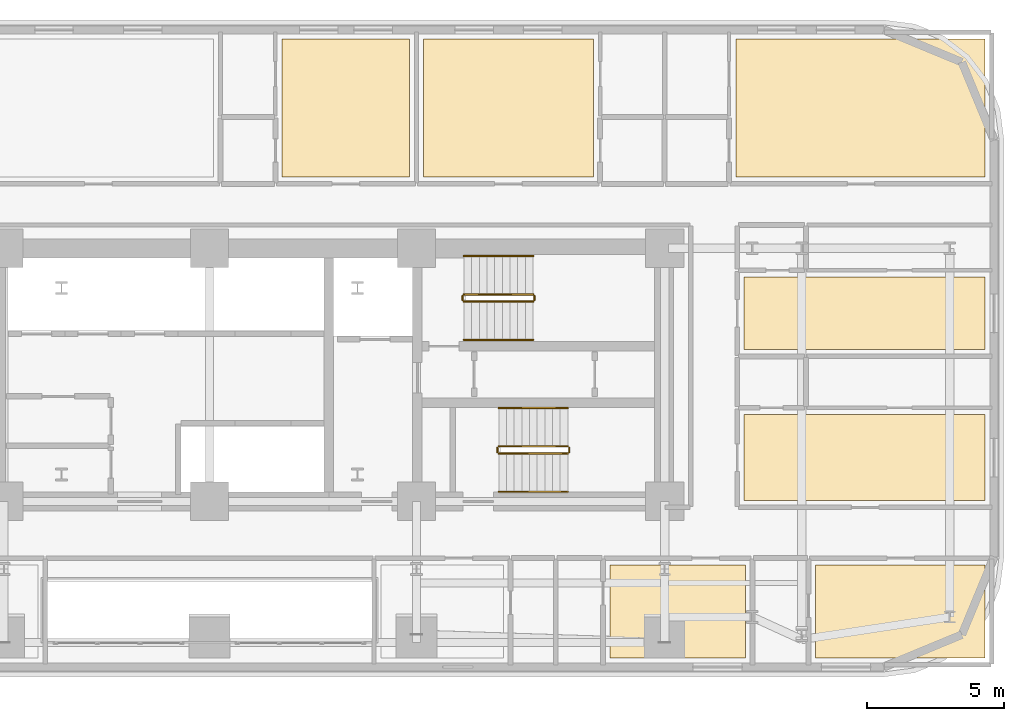
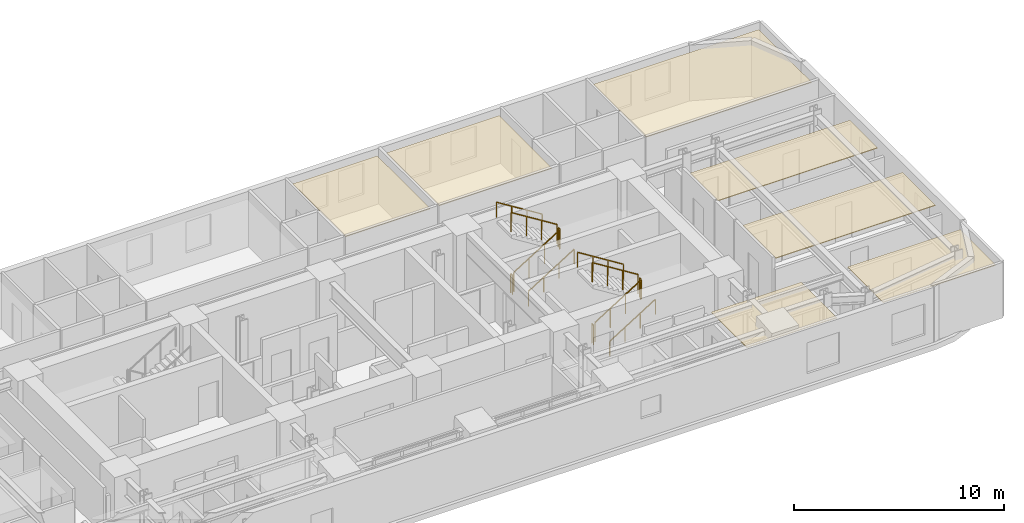
# One storey, part 15 of 15: 12 railings, 7 coverings.
"""IFC4 building model written with IfcOpenShell, lengths in metres."""

import ifcopenshell
import ifcopenshell.guid

model = None  # the IFC model being written
_history = None  # IfcOwnerHistory: only IFC2X3 demands one
_inside = {}  # id of a spatial element -> (the spatial element, [elements in it])
_under = {}  # id of a project, library or spatial element -> (it, [spatial elements below it])
_declared = {}  # id of a project -> (the project, [libraries it declares])
_typed = {}  # id of a type object -> (the type object, [elements of that type])
_made_of = {}  # id of a material, layer set ... -> (it, [elements and type objects made of it])


def new_model(schema):
    """Start an empty IFC model of exactly this schema.

    Asked for "IFC4X3", IfcOpenShell would pick the latest addendum, in which some entities
    have other attributes; the version numbers below select the first issue.
    IFC2X3 requires an IfcOwnerHistory on every rooted entity: one is made here for all.
    """
    global model, _history
    if schema == "IFC4X3":
        model = ifcopenshell.file(schema_version=(4, 3, 0, 0))
    else:
        model = ifcopenshell.file(schema=schema)
    _inside.clear()
    _under.clear()
    _declared.clear()
    _typed.clear()
    _made_of.clear()
    _history = None
    if model.schema == "IFC2X3":
        org = make("IfcOrganization", Name="unknown")
        user = make(
            "IfcPersonAndOrganization",
            ThePerson=make("IfcPerson", FamilyName="unknown"),
            TheOrganization=org,
        )
        app = make(
            "IfcApplication",
            ApplicationDeveloper=org,
            Version="unknown",
            ApplicationFullName="unknown",
            ApplicationIdentifier="unknown",
        )
        _history = make(
            "IfcOwnerHistory",
            OwningUser=user,
            OwningApplication=app,
            ChangeAction="ADDED",
            CreationDate=0,
        )
    return model


def make(cls, **values):
    """One entity of the class cls with the attributes given. An attribute that is None is left unset."""
    return model.create_entity(
        cls, **{name: value for name, value in values.items() if value is not None}
    )


def rooted(cls, **values):
    """An entity with a GlobalId (a new one), such as an element, a storey or a relation."""
    return make(cls, GlobalId=ifcopenshell.guid.new(), OwnerHistory=_history, **values)


def si_unit(unit_type, name, prefix=None):
    """IfcSIUnit, for example si_unit("LENGTHUNIT", "METRE", prefix="MILLI")."""
    return make("IfcSIUnit", UnitType=unit_type, Prefix=prefix, Name=name)


def assignment(units):
    """IfcUnitAssignment: the units of a project."""
    return None if units is None else make("IfcUnitAssignment", Units=units)


def point(xyz):
    """IfcCartesianPoint."""
    return None if xyz is None else make("IfcCartesianPoint", Coordinates=xyz)


def direction(xyz):
    """IfcDirection."""
    return None if xyz is None else make("IfcDirection", DirectionRatios=xyz)


def frame(location, z_axis=None, x_axis=None):
    """IfcAxis2Placement3D, a coordinate frame: its origin and axes. An axis left out is left unset."""
    return make(
        "IfcAxis2Placement3D",
        Location=point(location),
        Axis=direction(z_axis),
        RefDirection=direction(x_axis),
    )


def frame_2d(location, x_axis=None):
    """IfcAxis2Placement2D, a coordinate frame in the plane: its origin and x axis."""
    return make(
        "IfcAxis2Placement2D", Location=point(location), RefDirection=direction(x_axis)
    )


def origin():
    """The frame at (0, 0, 0) with its axes left unset."""
    return frame((0.0, 0.0, 0.0))


def origin_2d():
    """The frame at (0, 0) in the plane with its x axis left unset."""
    return frame_2d((0.0, 0.0))


def place(relative_to, where):
    """IfcLocalPlacement: puts the frame where relative to a parent placement (None: the world)."""
    return make(
        "IfcLocalPlacement", PlacementRelTo=relative_to, RelativePlacement=where
    )


def context(
    kind, dimensions, precision=None, world=None, true_north=None, identifier=None
):
    """IfcGeometricRepresentationContext, for example the 3D "Model" context."""
    return make(
        "IfcGeometricRepresentationContext",
        ContextIdentifier=identifier,
        ContextType=kind,
        CoordinateSpaceDimension=dimensions,
        Precision=precision,
        WorldCoordinateSystem=world,
        TrueNorth=true_north,
    )


def subcontext(parent, identifier, kind, view, scale=None):
    """IfcGeometricRepresentationSubContext, for example "Body" below "Model"."""
    return make(
        "IfcGeometricRepresentationSubContext",
        ContextIdentifier=identifier,
        ContextType=kind,
        ParentContext=parent,
        TargetScale=scale,
        TargetView=view,
    )


def project(units=None, contexts=None):
    """IfcProject with its units and contexts."""
    return rooted(
        "IfcProject",
        Name="project",
        RepresentationContexts=contexts,
        UnitsInContext=assignment(units),
    )


def spatial(cls, under=None, at=None, **own):
    """A site, building, storey or space (cls), placed at a placement, below another one or the project."""
    s = rooted(cls, ObjectPlacement=at, **own)
    if under is not None:
        _under.setdefault(under.id(), (under, []))[1].append(s)
    return s


def polyline(points):
    """IfcPolyline through the points."""
    return make("IfcPolyline", Points=[point(p) for p in points])


def profile(cls, at=None, kind="AREA", **sizes):
    """A parametric profile (cls). Its sizes go by their IFC names, for example OverallWidth=200.0."""
    return make(cls, ProfileType=kind, Position=at, **sizes)


def rectangle(**sizes):
    """IfcRectangleProfileDef."""
    return profile("IfcRectangleProfileDef", **sizes)


def outline(outer, holes=None, kind="AREA"):
    """IfcArbitraryClosedProfileDef: a profile drawn as a closed curve; with holes, ...WithVoids."""
    if holes is None:
        return make("IfcArbitraryClosedProfileDef", ProfileType=kind, OuterCurve=outer)
    return make(
        "IfcArbitraryProfileDefWithVoids",
        ProfileType=kind,
        OuterCurve=outer,
        InnerCurves=holes,
    )


def extrude(swept, where, along, depth):
    """IfcExtrudedAreaSolid: the profile swept, set in the frame where, extruded along a direction by depth."""
    return make(
        "IfcExtrudedAreaSolid",
        SweptArea=swept,
        Position=where,
        ExtrudedDirection=direction(along),
        Depth=depth,
    )


def shape(context_of_items, identifier, shape_type, items):
    """IfcShapeRepresentation: the items that make up one representation, for example the "Body"."""
    return make(
        "IfcShapeRepresentation",
        ContextOfItems=context_of_items,
        RepresentationIdentifier=identifier,
        RepresentationType=shape_type,
        Items=items,
    )


def material(Name=None, Category=None):
    """IfcMaterial."""
    return make("IfcMaterial", Name=Name, Category=Category)


def layer(
    of_material, thickness, ventilated=None, Name=None, Category=None, Priority=None
):
    """IfcMaterialLayer: one layer of a wall or slab, of a material (None: an air gap)."""
    return make(
        "IfcMaterialLayer",
        Material=of_material,
        LayerThickness=thickness,
        IsVentilated=ventilated,
        Name=Name,
        Category=Category,
        Priority=Priority,
    )


def layer_set(layers, Name=None):
    """IfcMaterialLayerSet."""
    return make("IfcMaterialLayerSet", MaterialLayers=layers, LayerSetName=Name)


def made_of(thing, what):
    """Note that an element or type object is made of a material, layer set ...; save() writes the relation."""
    if what is not None:
        _made_of.setdefault(what.id(), (what, []))[1].append(thing)
    return thing


def type_object(cls, material=None, **own):
    """A type object (cls), such as IfcWallType, which elements share."""
    return made_of(rooted(cls, **own), material)


def element(
    cls,
    number,
    at=None,
    inside=None,
    cuts=None,
    type_object=None,
    material=None,
    context=None,
    identifier="Body",
    shape_type=None,
    held_by="IfcProductDefinitionShape",
    body=None,
    shapes=None,
    **own,
):
    """One element of the class cls, such as IfcWall. Its Tag is "e" and its number.

    at: its placement. inside: the storey or other place that contains it. cuts: it is an
    opening in that element (IfcRelVoidsElement). A single representation is given by context,
    identifier, shape_type and body (its items); several are given by shapes. held_by: the class
    of the entity that holds the representations. save() writes the other relations.
    """
    e = rooted(cls, Tag="e%d" % number, ObjectPlacement=at, **own)
    if body is not None:
        shapes = [shape(context, identifier, shape_type, body)]
    if shapes is not None:
        e.Representation = make(held_by, Representations=shapes)
    if inside is not None:
        _inside.setdefault(inside.id(), (inside, []))[1].append(e)
    if cuts is not None:
        rooted(
            "IfcRelVoidsElement", RelatingBuildingElement=cuts, RelatedOpeningElement=e
        )
    if type_object is not None:
        _typed.setdefault(type_object.id(), (type_object, []))[1].append(e)
    return made_of(e, material)


def aggregate(whole, parts):
    """IfcRelAggregates: a whole, such as a stair, and the parts it consists of."""
    return rooted("IfcRelAggregates", RelatingObject=whole, RelatedObjects=parts)


def save(model, path):
    """Write the relations noted so far, then the file.

    IfcRelAggregates (storeys below a building ...), IfcRelContainedInSpatialStructure (elements
    in a storey), IfcRelDefinesByType, IfcRelAssociatesMaterial and IfcRelDeclares: one each for
    every whole, place, type object, material and project.
    """
    for whole, parts in _under.values():
        aggregate(whole, parts)
    for where, things in _inside.values():
        rooted(
            "IfcRelContainedInSpatialStructure",
            RelatedElements=things,
            RelatingStructure=where,
        )
    for kind, things in _typed.values():
        rooted("IfcRelDefinesByType", RelatedObjects=things, RelatingType=kind)
    for what, things in _made_of.values():
        rooted("IfcRelAssociatesMaterial", RelatedObjects=things, RelatingMaterial=what)
    for by, libraries in _declared.values():
        rooted("IfcRelDeclares", RelatingContext=by, RelatedDefinitions=libraries)
    model.write(path)


model = new_model("IFC4")

# Units and contexts
model_context = context("Model", 3, precision=1e-05, world=origin(), true_north=direction((0.0, 1.0)))
body_context = subcontext(model_context, "Body", "Model", "MODEL_VIEW")
ifc_project = project(units=[si_unit("LENGTHUNIT", "METRE"), si_unit("AREAUNIT", "SQUARE_METRE"), si_unit("VOLUMEUNIT", "CUBIC_METRE"), si_unit("PLANEANGLEUNIT", "RADIAN"), si_unit("MASSUNIT", "GRAM", prefix="KILO")], contexts=[model_context])

# Site, building, storey
site_placement = place(None, origin())
site = spatial("IfcSite", under=ifc_project, at=site_placement, CompositionType="ELEMENT")
building_placement = place(site_placement, origin())
building = spatial("IfcBuilding", under=site, at=building_placement, Name="Zarnavel Station Tower", CompositionType="ELEMENT")
storey_placement = place(building_placement, frame((0.0, 0.0, 36.0)))
storey = spatial("IfcBuildingStorey", under=building, at=storey_placement, Name="L09", CompositionType="ELEMENT", Elevation=36.0)

# Coverings
ifc_material_1 = material(Name="Perforated Gypsum and Mineral-Wool Acoustic Ceiling", Category="concrete")
ifc_layer = layer(ifc_material_1, 0.0400390625)
ifc_layer_set = layer_set([ifc_layer], Name="COV_CEIL_ACOUSTIC")
covering_type = type_object("IfcCoveringType", Name="COV_CEIL_ACOUSTIC", PredefinedType="CEILING", material=ifc_layer_set)
covering_1_placement = place(storey_placement, frame((0.0, 0.0, 2.919921875)))
element("IfcCovering", 1, at=covering_1_placement, inside=storey, type_object=covering_type, Name="L09 FNE1R Acoustic Ceiling", PredefinedType="CEILING", context=body_context, shape_type="SweptSolid", body=[
    extrude(outline(polyline([(48.300048828125, 27.85009765625), (57.090087890625, 27.85009765625), (57.090087890625, 30.986083984375), (48.300048828125, 30.986083984375), (48.300048828125, 27.85009765625)])), origin(), (0.0, 0.0, 1.0), 0.0400390625),
])
covering_2_placement = place(storey_placement, frame((0.0, 0.0, 2.919921875)))
element("IfcCovering", 2, at=covering_2_placement, inside=storey, type_object=covering_type, Name="L09 FNE2R Acoustic Ceiling", PredefinedType="CEILING", context=body_context, shape_type="SweptSolid", body=[
    extrude(outline(polyline([(48.300048828125, 33.35888671875), (57.090087890625, 33.35888671875), (57.090087890625, 36.0), (48.300048828125, 36.0), (48.300048828125, 33.35888671875)])), origin(), (0.0, 0.0, 1.0), 0.0400390625),
])
covering_3_placement = place(storey_placement, frame((0.0, 0.0, 2.919921875)))
element("IfcCovering", 3, at=covering_3_placement, inside=storey, type_object=covering_type, Name="L09 HN3R Acoustic Ceiling", PredefinedType="CEILING", context=body_context, shape_type="SweptSolid", body=[
    extrude(outline(polyline([(31.450927734375, 39.64990234375), (36.10009765625, 39.64990234375), (36.10009765625, 44.68994140625), (31.450927734375, 44.68994140625), (31.450927734375, 39.64990234375)])), origin(), (0.0, 0.0, 1.0), 0.0400390625),
])
covering_4_placement = place(storey_placement, frame((0.0, 0.0, 2.919921875)))
element("IfcCovering", 4, at=covering_4_placement, inside=storey, type_object=covering_type, Name="L09 HN4R Acoustic Ceiling", PredefinedType="CEILING", context=body_context, shape_type="SweptSolid", body=[
    extrude(outline(polyline([(36.60009765625, 39.64990234375), (42.800048828125, 39.64990234375), (42.800048828125, 44.68994140625), (36.60009765625, 44.68994140625), (36.60009765625, 39.64990234375)])), origin(), (0.0, 0.0, 1.0), 0.0400390625),
])
covering_5_placement = place(storey_placement, frame((0.0, 0.0, 2.919921875)))
element("IfcCovering", 5, at=covering_5_placement, inside=storey, type_object=covering_type, Name="L09 HN5R Acoustic Ceiling", PredefinedType="CEILING", context=body_context, shape_type="SweptSolid", body=[
    extrude(outline(polyline([(48.0, 39.64990234375), (57.090087890625, 39.64990234375), (57.090087890625, 44.68994140625), (48.0, 44.68994140625), (48.0, 39.64990234375)])), origin(), (0.0, 0.0, 1.0), 0.0400390625),
])
covering_6_placement = place(storey_placement, frame((0.0, 0.0, 2.919921875)))
element("IfcCovering", 6, at=covering_6_placement, inside=storey, type_object=covering_type, Name="L09 HE2R Acoustic Ceiling", PredefinedType="CEILING", context=body_context, shape_type="SweptSolid", body=[
    extrude(outline(polyline([(43.39990234375, 22.110107421875), (48.35009765625, 22.110107421875), (48.35009765625, 25.5), (43.39990234375, 25.5), (43.39990234375, 22.110107421875)])), origin(), (0.0, 0.0, 1.0), 0.0400390625),
])
covering_7_placement = place(storey_placement, frame((0.0, 0.0, 2.919921875)))
element("IfcCovering", 7, at=covering_7_placement, inside=storey, type_object=covering_type, Name="L09 HE3R Acoustic Ceiling", PredefinedType="CEILING", context=body_context, shape_type="SweptSolid", body=[
    extrude(outline(polyline([(50.89990234375, 22.110107421875), (57.090087890625, 22.110107421875), (57.090087890625, 25.5), (50.89990234375, 25.5), (50.89990234375, 22.110107421875)])), origin(), (0.0, 0.0, 1.0), 0.0400390625),
])

# Railings
ifc_material_2 = material(Name="Painted Steel S355J2 Balustrade", Category="steel")
railing_type_1 = type_object("IfcRailingType", Name="GR_INT_1150", PredefinedType="GUARDRAIL", material=ifc_material_2)
railing_1_placement = place(storey_placement, frame((38.080078125, 35.110107421875, 0.175048828125)))
element("IfcRailing", 8, at=railing_1_placement, inside=storey, type_object=railing_type_1, Name="L09 ST2 stair guard 1", PredefinedType="GUARDRAIL", context=body_context, shape_type="SweptSolid", body=[
    extrude(rectangle(XDim=0.048095703125, YDim=0.048095703125, at=origin_2d()), frame((0.001708984375, 0.0, 1.126953125), z_axis=(0.848007534815, 0.0, 0.529984170421), x_axis=(0.0, 1.0, 0.0)), (0.0, 0.0, 1.0), 2.9677734375),
    extrude(rectangle(XDim=0.0419921875, YDim=0.0419921875, at=origin_2d()), origin(), (0.0, 0.0, 1.0), 1.101806640625),
    extrude(rectangle(XDim=0.0419921875, YDim=0.0419921875, at=origin_2d()), frame((0.840087890625, 0.0, 0.52490234375)), (0.0, 0.0, 1.0), 1.101806640625),
    extrude(rectangle(XDim=0.0419921875, YDim=0.0419921875, at=origin_2d()), frame((1.679931640625, 0.0, 1.050048828125)), (0.0, 0.0, 1.0), 1.101806640625),
    extrude(rectangle(XDim=0.0419921875, YDim=0.0419921875, at=origin_2d()), frame((2.52001953125, 0.0, 1.574951171875)), (0.0, 0.0, 1.0), 1.101806640625),
])
railing_2_placement = place(storey_placement, frame((40.64990234375, 35.159912109375, 1.75)))
element("IfcRailing", 9, at=railing_2_placement, inside=storey, type_object=railing_type_1, Name="L09 ST2 stair guard 2", PredefinedType="GUARDRAIL", context=body_context, shape_type="SweptSolid", body=[
    extrude(rectangle(XDim=0.048095703125, YDim=0.048095703125, at=origin_2d()), frame((0.0, 0.001953125, 1.1259765625), z_axis=(0.0, 1.0, 0.0), x_axis=(-1.0, 0.0, 0.0)), (0.0, 0.0, 1.0), 0.15625),
    extrude(rectangle(XDim=0.0419921875, YDim=0.0419921875, at=origin_2d()), origin(), (0.0, 0.0, 1.0), 1.101806640625),
    extrude(rectangle(XDim=0.0419921875, YDim=0.0419921875, at=origin_2d()), frame((0.0, 0.16015625, 0.0)), (0.0, 0.0, 1.0), 1.101806640625),
])
railing_3_placement = place(storey_placement, frame((40.60009765625, 35.3701171875, 1.925048828125)))
element("IfcRailing", 10, at=railing_3_placement, inside=storey, type_object=railing_type_1, Name="L09 ST2 stair guard 3", PredefinedType="GUARDRAIL", context=body_context, shape_type="SweptSolid", body=[
    extrude(rectangle(XDim=0.048095703125, YDim=0.048095703125, at=origin_2d()), frame((-0.001708984375, 0.0, 1.126953125), z_axis=(-0.848007534815, 0.0, 0.529984170421), x_axis=(0.0, -1.0, 0.0)), (0.0, 0.0, 1.0), 2.9677734375),
    extrude(rectangle(XDim=0.0419921875, YDim=0.0419921875, at=origin_2d()), origin(), (0.0, 0.0, 1.0), 1.101806640625),
    extrude(rectangle(XDim=0.0419921875, YDim=0.0419921875, at=origin_2d()), frame((-0.840087890625, 0.0, 0.52490234375)), (0.0, 0.0, 1.0), 1.101806640625),
    extrude(rectangle(XDim=0.0419921875, YDim=0.0419921875, at=origin_2d()), frame((-1.679931640625, 0.0, 1.050048828125)), (0.0, 0.0, 1.0), 1.101806640625),
    extrude(rectangle(XDim=0.0419921875, YDim=0.0419921875, at=origin_2d()), frame((-2.52001953125, 0.0, 1.574951171875)), (0.0, 0.0, 1.0), 1.101806640625),
])
railing_4_placement = place(storey_placement, frame((38.030029296875, 35.159912109375, 0.0)))
element("IfcRailing", 11, at=railing_4_placement, inside=storey, type_object=railing_type_1, Name="L09 ST2 stair guard 4", PredefinedType="GUARDRAIL", context=body_context, shape_type="SweptSolid", body=[
    extrude(rectangle(XDim=0.048095703125, YDim=0.048095703125, at=origin_2d()), frame((0.0, 0.001953125, 1.1259765625), z_axis=(0.0, 1.0, 0.0), x_axis=(-1.0, 0.0, 0.0)), (0.0, 0.0, 1.0), 0.15625),
    extrude(rectangle(XDim=0.0419921875, YDim=0.0419921875, at=origin_2d()), origin(), (0.0, 0.0, 1.0), 1.101806640625),
    extrude(rectangle(XDim=0.0419921875, YDim=0.0419921875, at=origin_2d()), frame((0.0, 0.16015625, 0.0)), (0.0, 0.0, 1.0), 1.101806640625),
])
railing_5_placement = place(storey_placement, frame((39.35009765625, 29.570068359375, 0.175048828125)))
element("IfcRailing", 12, at=railing_5_placement, inside=storey, type_object=railing_type_1, Name="L09 ST3 stair guard 1", PredefinedType="GUARDRAIL", context=body_context, shape_type="SweptSolid", body=[
    extrude(rectangle(XDim=0.048095703125, YDim=0.048095703125, at=origin_2d()), frame((0.001708984375, 0.0, 1.126953125), z_axis=(0.848007534815, 0.0, 0.529984170421), x_axis=(0.0, 1.0, 0.0)), (0.0, 0.0, 1.0), 2.9677734375),
    extrude(rectangle(XDim=0.0419921875, YDim=0.0419921875, at=origin_2d()), origin(), (0.0, 0.0, 1.0), 1.101806640625),
    extrude(rectangle(XDim=0.0419921875, YDim=0.0419921875, at=origin_2d()), frame((0.840087890625, 0.0, 0.52490234375)), (0.0, 0.0, 1.0), 1.101806640625),
    extrude(rectangle(XDim=0.0419921875, YDim=0.0419921875, at=origin_2d()), frame((1.679931640625, 0.0, 1.050048828125)), (0.0, 0.0, 1.0), 1.101806640625),
    extrude(rectangle(XDim=0.0419921875, YDim=0.0419921875, at=origin_2d()), frame((2.52001953125, 0.0, 1.574951171875)), (0.0, 0.0, 1.0), 1.101806640625),
])
railing_6_placement = place(storey_placement, frame((41.919921875, 29.6201171875, 1.75)))
element("IfcRailing", 13, at=railing_6_placement, inside=storey, type_object=railing_type_1, Name="L09 ST3 stair guard 2", PredefinedType="GUARDRAIL", context=body_context, shape_type="SweptSolid", body=[
    extrude(rectangle(XDim=0.048095703125, YDim=0.048095703125, at=origin_2d()), frame((0.0, 0.001953125, 1.1259765625), z_axis=(0.0, 1.0, 0.0), x_axis=(-1.0, 0.0, 0.0)), (0.0, 0.0, 1.0), 0.156005859375),
    extrude(rectangle(XDim=0.0419921875, YDim=0.0419921875, at=origin_2d()), origin(), (0.0, 0.0, 1.0), 1.101806640625),
    extrude(rectangle(XDim=0.0419921875, YDim=0.0419921875, at=origin_2d()), frame((0.0, 0.159912109375, 0.0)), (0.0, 0.0, 1.0), 1.101806640625),
])
railing_7_placement = place(storey_placement, frame((41.8701171875, 29.830078125, 1.925048828125)))
element("IfcRailing", 14, at=railing_7_placement, inside=storey, type_object=railing_type_1, Name="L09 ST3 stair guard 3", PredefinedType="GUARDRAIL", context=body_context, shape_type="SweptSolid", body=[
    extrude(rectangle(XDim=0.048095703125, YDim=0.048095703125, at=origin_2d()), frame((-0.001708984375, 0.0, 1.126953125), z_axis=(-0.848007534815, 0.0, 0.529984170421), x_axis=(0.0, -1.0, 0.0)), (0.0, 0.0, 1.0), 2.9677734375),
    extrude(rectangle(XDim=0.0419921875, YDim=0.0419921875, at=origin_2d()), origin(), (0.0, 0.0, 1.0), 1.101806640625),
    extrude(rectangle(XDim=0.0419921875, YDim=0.0419921875, at=origin_2d()), frame((-0.840087890625, 0.0, 0.52490234375)), (0.0, 0.0, 1.0), 1.101806640625),
    extrude(rectangle(XDim=0.0419921875, YDim=0.0419921875, at=origin_2d()), frame((-1.679931640625, 0.0, 1.050048828125)), (0.0, 0.0, 1.0), 1.101806640625),
    extrude(rectangle(XDim=0.0419921875, YDim=0.0419921875, at=origin_2d()), frame((-2.52001953125, 0.0, 1.574951171875)), (0.0, 0.0, 1.0), 1.101806640625),
])
railing_8_placement = place(storey_placement, frame((39.300048828125, 29.6201171875, 0.0)))
element("IfcRailing", 15, at=railing_8_placement, inside=storey, type_object=railing_type_1, Name="L09 ST3 stair guard 4", PredefinedType="GUARDRAIL", context=body_context, shape_type="SweptSolid", body=[
    extrude(rectangle(XDim=0.048095703125, YDim=0.048095703125, at=origin_2d()), frame((0.0, 0.001953125, 1.1259765625), z_axis=(0.0, 1.0, 0.0), x_axis=(-1.0, 0.0, 0.0)), (0.0, 0.0, 1.0), 0.156005859375),
    extrude(rectangle(XDim=0.0419921875, YDim=0.0419921875, at=origin_2d()), origin(), (0.0, 0.0, 1.0), 1.101806640625),
    extrude(rectangle(XDim=0.0419921875, YDim=0.0419921875, at=origin_2d()), frame((0.0, 0.159912109375, 0.0)), (0.0, 0.0, 1.0), 1.101806640625),
])
ifc_material_3 = material(Name="Brushed Stainless Steel S355J2 Handrail", Category="steel")
railing_type_2 = type_object("IfcRailingType", Name="HR_STAIR_900", PredefinedType="HANDRAIL", material=ifc_material_3)
railing_9_placement = place(storey_placement, frame((38.080078125, 33.7099609375, 0.175048828125)))
element("IfcRailing", 16, at=railing_9_placement, inside=storey, type_object=railing_type_2, Name="L09 ST2 stair handrail 1", PredefinedType="HANDRAIL", context=body_context, shape_type="SweptSolid", body=[
    extrude(rectangle(XDim=0.048095703125, YDim=0.048095703125, at=origin_2d()), frame((0.001708984375, 0.0, 0.876953125), z_axis=(0.848007534815, 0.0, 0.529984170421), x_axis=(0.0, 1.0, 0.0)), (0.0, 0.0, 1.0), 2.9677734375),
    extrude(rectangle(XDim=0.0419921875, YDim=0.0419921875, at=origin_2d()), origin(), (0.0, 0.0, 1.0), 0.851806640625),
    extrude(rectangle(XDim=0.0419921875, YDim=0.0419921875, at=origin_2d()), frame((0.840087890625, 0.0, 0.52490234375)), (0.0, 0.0, 1.0), 0.851806640625),
    extrude(rectangle(XDim=0.0419921875, YDim=0.0419921875, at=origin_2d()), frame((1.679931640625, 0.0, 1.050048828125)), (0.0, 0.0, 1.0), 0.851806640625),
    extrude(rectangle(XDim=0.0419921875, YDim=0.0419921875, at=origin_2d()), frame((2.52001953125, 0.0, 1.574951171875)), (0.0, 0.0, 1.0), 0.851806640625),
])
railing_10_placement = place(storey_placement, frame((40.60009765625, 36.77001953125, 1.925048828125)))
element("IfcRailing", 17, at=railing_10_placement, inside=storey, type_object=railing_type_2, Name="L09 ST2 stair handrail 2", PredefinedType="HANDRAIL", context=body_context, shape_type="SweptSolid", body=[
    extrude(rectangle(XDim=0.048095703125, YDim=0.048095703125, at=origin_2d()), frame((-0.001708984375, 0.0, 0.876953125), z_axis=(-0.848007534815, 0.0, 0.529984170421), x_axis=(0.0, -1.0, 0.0)), (0.0, 0.0, 1.0), 2.9677734375),
    extrude(rectangle(XDim=0.0419921875, YDim=0.0419921875, at=origin_2d()), origin(), (0.0, 0.0, 1.0), 0.851806640625),
    extrude(rectangle(XDim=0.0419921875, YDim=0.0419921875, at=origin_2d()), frame((-0.840087890625, 0.0, 0.52490234375)), (0.0, 0.0, 1.0), 0.851806640625),
    extrude(rectangle(XDim=0.0419921875, YDim=0.0419921875, at=origin_2d()), frame((-1.679931640625, 0.0, 1.050048828125)), (0.0, 0.0, 1.0), 0.851806640625),
    extrude(rectangle(XDim=0.0419921875, YDim=0.0419921875, at=origin_2d()), frame((-2.52001953125, 0.0, 1.574951171875)), (0.0, 0.0, 1.0), 0.851806640625),
])
railing_11_placement = place(storey_placement, frame((39.35009765625, 28.169921875, 0.175048828125)))
element("IfcRailing", 18, at=railing_11_placement, inside=storey, type_object=railing_type_2, Name="L09 ST3 stair handrail 1", PredefinedType="HANDRAIL", context=body_context, shape_type="SweptSolid", body=[
    extrude(rectangle(XDim=0.048095703125, YDim=0.048095703125, at=origin_2d()), frame((0.001708984375, 0.0, 0.876953125), z_axis=(0.848007534815, 0.0, 0.529984170421), x_axis=(0.0, 1.0, 0.0)), (0.0, 0.0, 1.0), 2.9677734375),
    extrude(rectangle(XDim=0.0419921875, YDim=0.0419921875, at=origin_2d()), origin(), (0.0, 0.0, 1.0), 0.851806640625),
    extrude(rectangle(XDim=0.0419921875, YDim=0.0419921875, at=origin_2d()), frame((0.840087890625, 0.0, 0.52490234375)), (0.0, 0.0, 1.0), 0.851806640625),
    extrude(rectangle(XDim=0.0419921875, YDim=0.0419921875, at=origin_2d()), frame((1.679931640625, 0.0, 1.050048828125)), (0.0, 0.0, 1.0), 0.851806640625),
    extrude(rectangle(XDim=0.0419921875, YDim=0.0419921875, at=origin_2d()), frame((2.52001953125, 0.0, 1.574951171875)), (0.0, 0.0, 1.0), 0.851806640625),
])
railing_12_placement = place(storey_placement, frame((41.8701171875, 31.22998046875, 1.925048828125)))
element("IfcRailing", 19, at=railing_12_placement, inside=storey, type_object=railing_type_2, Name="L09 ST3 stair handrail 2", PredefinedType="HANDRAIL", context=body_context, shape_type="SweptSolid", body=[
    extrude(rectangle(XDim=0.048095703125, YDim=0.048095703125, at=origin_2d()), frame((-0.001708984375, 0.0, 0.876953125), z_axis=(-0.848007534815, 0.0, 0.529984170421), x_axis=(0.0, -1.0, 0.0)), (0.0, 0.0, 1.0), 2.9677734375),
    extrude(rectangle(XDim=0.0419921875, YDim=0.0419921875, at=origin_2d()), origin(), (0.0, 0.0, 1.0), 0.851806640625),
    extrude(rectangle(XDim=0.0419921875, YDim=0.0419921875, at=origin_2d()), frame((-0.840087890625, 0.0, 0.52490234375)), (0.0, 0.0, 1.0), 0.851806640625),
    extrude(rectangle(XDim=0.0419921875, YDim=0.0419921875, at=origin_2d()), frame((-1.679931640625, 0.0, 1.050048828125)), (0.0, 0.0, 1.0), 0.851806640625),
    extrude(rectangle(XDim=0.0419921875, YDim=0.0419921875, at=origin_2d()), frame((-2.52001953125, 0.0, 1.574951171875)), (0.0, 0.0, 1.0), 0.851806640625),
])

save(model, "model.ifc")
